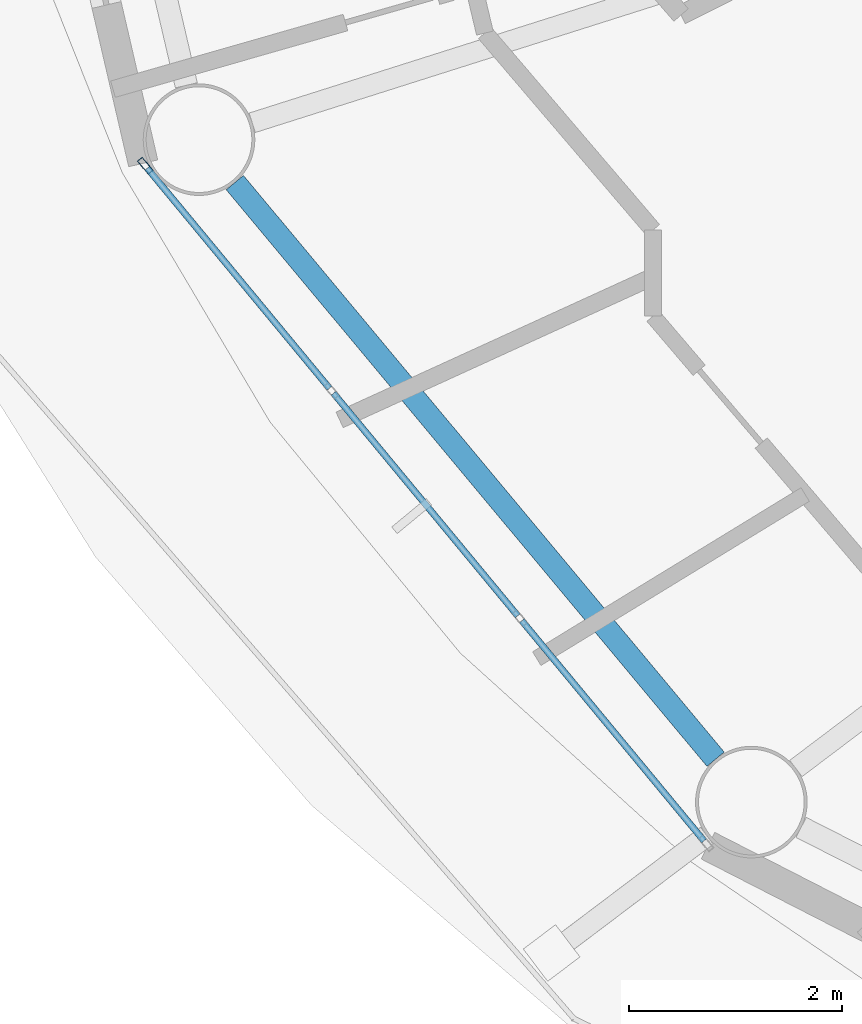
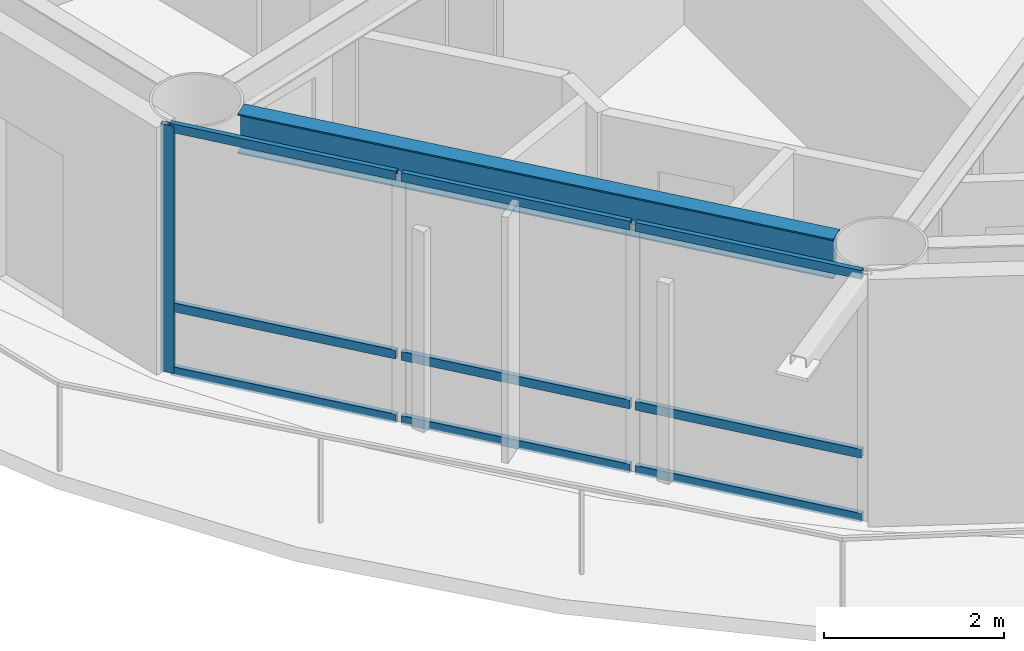
# One storey, part 3 of 23: 10 members, 1 beam, 1 element without a shape of its own.
"""IFC4 building model written with IfcOpenShell, lengths in metres."""

from ifc_helpers import new_model, si_unit, direction, frame, origin, origin_2d, place, context, subcontext, project, spatial, hollow_rectangle, i_section, extrude, material, layer, layer_set, material_profile, profile_set, type_object, element, aggregate, save


model = new_model("IFC4")

# Units and contexts
model_context = context("Model", 3, precision=1e-05, world=origin(), true_north=direction((0.0, 1.0)))
body_context = subcontext(model_context, "Body", "Model", "MODEL_VIEW")
ifc_project = project(units=[si_unit("LENGTHUNIT", "METRE"), si_unit("AREAUNIT", "SQUARE_METRE"), si_unit("VOLUMEUNIT", "CUBIC_METRE"), si_unit("PLANEANGLEUNIT", "RADIAN"), si_unit("MASSUNIT", "GRAM", prefix="KILO")], contexts=[model_context])

# Site, building, storey
site_placement = place(None, origin())
site = spatial("IfcSite", under=ifc_project, at=site_placement, CompositionType="ELEMENT")
building_placement = place(site_placement, origin())
building = spatial("IfcBuilding", under=site, at=building_placement, Name="Sarneth Arch Tower", CompositionType="ELEMENT")
storey_placement = place(building_placement, frame((0.0, 0.0, 238.800048828125)))
storey = spatial("IfcBuildingStorey", under=building, at=storey_placement, Name="L61", CompositionType="ELEMENT", Elevation=238.800048828125)

# Beam
ifc_material_1 = material(Name="Steel S355", Category="steel")
ifc_material_profile_1 = material_profile(ifc_material_1, i_section(OverallWidth=0.2109375, OverallDepth=0.5390625, WebThickness=0.01171875, FlangeThickness=0.018798828125, FilletRadius=0.01806640625, at=origin_2d()), Name="W530x109")
ifc_profile_set_1 = profile_set([ifc_material_profile_1], Name="Steel S355")
beam_type = type_object("IfcBeamType", Name="BM-RAD-530B", PredefinedType="BEAM", material=ifc_profile_set_1)
beam_placement = place(storey_placement, frame((25.16748046875, 34.249267578125, 3.09033203125), z_axis=(0.640364654985, -0.76807103099, 0.0), x_axis=(0.76807103099, 0.640364654985, 0.0)))
element("IfcBeam", 1, at=beam_placement, inside=storey, type_object=beam_type, Name="L61 Perimeter spandrel beam 10", PredefinedType="BEAM", context=body_context, shape_type="SweptSolid", body=[
    extrude(i_section(OverallWidth=0.2109375, OverallDepth=0.5390625, WebThickness=0.01171875, FlangeThickness=0.018798828125, FilletRadius=0.01806640625, at=origin_2d()), origin(), (0.0, 0.0, 1.0), 7.06005859375),
])

# Curtain wall, members
ifc_material_2 = material(Name="Anodised aluminium Type AA25 and solar-control low-e laminated IGU", Category="aluminium")
ifc_layer = layer(ifc_material_2, 0.179931640625)
ifc_layer_set = layer_set([ifc_layer], Name="Anodised aluminium Type AA25 and solar-control low-e laminated IGU")
curtain_wall_type = type_object("IfcCurtainWallType", Name="CW-RES-HIGH", PredefinedType="NOTDEFINED", material=ifc_layer_set)
curtain_wall_placement = place(storey_placement, origin())
curtain_wall = element("IfcCurtainWall", 2, at=curtain_wall_placement, inside=storey, type_object=curtain_wall_type, Name="L61 Unitised curtain wall facet 10", PredefinedType="NOTDEFINED")
ifc_material_3 = material(Name="Anodised Aluminium 6063-T6", Category="aluminium")
ifc_material_profile_2 = material_profile(ifc_material_3, hollow_rectangle(XDim=0.06005859375, YDim=0.159912109375, WallThickness=0.00390625, at=origin_2d()), Name="AL-MULL-160x60x4")
ifc_profile_set_2 = profile_set([ifc_material_profile_2], Name="Anodised Aluminium 6063-T6")
member_type_1 = type_object("IfcMemberType", Name="CW-MULLION", PredefinedType="MULLION", material=ifc_profile_set_2)
member_1_placement = place(storey_placement, frame((24.325439453125, 34.407470703125, 0.0), z_axis=(0.0, 0.0, 1.0), x_axis=(0.770359245933, 0.637610094184, 0.0)))
member_1 = element("IfcMember", 3, at=member_1_placement, type_object=member_type_1, Name="CW-SYS-6 mullion 1", PredefinedType="MULLION", context=body_context, shape_type="SweptSolid", body=[
    extrude(hollow_rectangle(XDim=0.06005859375, YDim=0.159912109375, WallThickness=0.00390625, at=origin_2d()), origin(), (0.0, 0.0, 1.0), 3.35986328125),
])
ifc_material_4 = material(Name="Anodised Aluminium 6063-T6", Category="aluminium")
ifc_material_profile_3 = material_profile(ifc_material_4, hollow_rectangle(XDim=0.06005859375, YDim=0.1201171875, WallThickness=0.00390625, at=origin_2d()), Name="AL-TRAN-120x60x4")
ifc_profile_set_3 = profile_set([ifc_material_profile_3], Name="Anodised Aluminium 6063-T6")
member_type_2 = type_object("IfcMemberType", Name="CW-TRANSOM", PredefinedType="USERDEFINED", material=ifc_profile_set_3)
member_2_placement = place(storey_placement, frame((24.344482421875, 34.38427734375, 0.030029296875), z_axis=(0.637651400067, -0.770325056059, 0.0), x_axis=(0.770325056059, 0.637651400067, 0.0)))
member_2 = element("IfcMember", 4, at=member_2_placement, type_object=member_type_2, Name="CW-SYS-6 transom 1.1", ObjectType="TRANSOM", PredefinedType="USERDEFINED", context=body_context, shape_type="SweptSolid", body=[
    extrude(hollow_rectangle(XDim=0.06005859375, YDim=0.1201171875, WallThickness=0.00390625, at=origin_2d()), origin(), (0.0, 0.0, 1.0), 2.6865234375),
])
member_3_placement = place(storey_placement, frame((24.344482421875, 34.38427734375, 0.89990234375), z_axis=(0.637651400067, -0.770325056059, 0.0), x_axis=(0.770325056059, 0.637651400067, 0.0)))
member_3 = element("IfcMember", 5, at=member_3_placement, type_object=member_type_2, Name="CW-SYS-6 transom 1.2", ObjectType="TRANSOM", PredefinedType="USERDEFINED", context=body_context, shape_type="SweptSolid", body=[
    extrude(hollow_rectangle(XDim=0.06005859375, YDim=0.1201171875, WallThickness=0.00390625, at=origin_2d()), origin(), (0.0, 0.0, 1.0), 2.6865234375),
])
member_4_placement = place(storey_placement, frame((24.344482421875, 34.38427734375, 3.329833984375), z_axis=(0.637651400067, -0.770325056059, 0.0), x_axis=(0.770325056059, 0.637651400067, 0.0)))
member_4 = element("IfcMember", 6, at=member_4_placement, type_object=member_type_2, Name="CW-SYS-6 transom 1.3", ObjectType="TRANSOM", PredefinedType="USERDEFINED", context=body_context, shape_type="SweptSolid", body=[
    extrude(hollow_rectangle(XDim=0.06005859375, YDim=0.1201171875, WallThickness=0.00390625, at=origin_2d()), origin(), (0.0, 0.0, 1.0), 2.6865234375),
])
member_5_placement = place(storey_placement, frame((26.095703125, 32.268310546875, 0.030029296875), z_axis=(0.637617371902, -0.770353222261, 0.0), x_axis=(0.770353222261, 0.637617371902, 0.0)))
member_5 = element("IfcMember", 7, at=member_5_placement, type_object=member_type_2, Name="CW-SYS-6 transom 2.1", ObjectType="TRANSOM", PredefinedType="USERDEFINED", context=body_context, shape_type="SweptSolid", body=[
    extrude(hollow_rectangle(XDim=0.06005859375, YDim=0.1201171875, WallThickness=0.00390625, at=origin_2d()), origin(), (0.0, 0.0, 1.0), 2.716552734375),
])
member_6_placement = place(storey_placement, frame((26.095703125, 32.268310546875, 0.89990234375), z_axis=(0.637617371902, -0.770353222261, 0.0), x_axis=(0.770353222261, 0.637617371902, 0.0)))
member_6 = element("IfcMember", 8, at=member_6_placement, type_object=member_type_2, Name="CW-SYS-6 transom 2.2", ObjectType="TRANSOM", PredefinedType="USERDEFINED", context=body_context, shape_type="SweptSolid", body=[
    extrude(hollow_rectangle(XDim=0.06005859375, YDim=0.1201171875, WallThickness=0.00390625, at=origin_2d()), origin(), (0.0, 0.0, 1.0), 2.716552734375),
])
member_7_placement = place(storey_placement, frame((26.095703125, 32.268310546875, 3.329833984375), z_axis=(0.637617371902, -0.770353222261, 0.0), x_axis=(0.770353222261, 0.637617371902, 0.0)))
member_7 = element("IfcMember", 9, at=member_7_placement, type_object=member_type_2, Name="CW-SYS-6 transom 2.3", ObjectType="TRANSOM", PredefinedType="USERDEFINED", context=body_context, shape_type="SweptSolid", body=[
    extrude(hollow_rectangle(XDim=0.06005859375, YDim=0.1201171875, WallThickness=0.00390625, at=origin_2d()), origin(), (0.0, 0.0, 1.0), 2.716552734375),
])
member_8_placement = place(storey_placement, frame((27.8662109375, 30.12939453125, 0.030029296875), z_axis=(0.637606765719, -0.770362000821, 0.0), x_axis=(0.770362000821, 0.637606765719, 0.0)))
member_8 = element("IfcMember", 10, at=member_8_placement, type_object=member_type_2, Name="CW-SYS-6 transom 3.1", ObjectType="TRANSOM", PredefinedType="USERDEFINED", context=body_context, shape_type="SweptSolid", body=[
    extrude(hollow_rectangle(XDim=0.06005859375, YDim=0.1201171875, WallThickness=0.00390625, at=origin_2d()), origin(), (0.0, 0.0, 1.0), 2.686767578125),
])
member_9_placement = place(storey_placement, frame((27.8662109375, 30.12939453125, 0.89990234375), z_axis=(0.637606765719, -0.770362000821, 0.0), x_axis=(0.770362000821, 0.637606765719, 0.0)))
member_9 = element("IfcMember", 11, at=member_9_placement, type_object=member_type_2, Name="CW-SYS-6 transom 3.2", ObjectType="TRANSOM", PredefinedType="USERDEFINED", context=body_context, shape_type="SweptSolid", body=[
    extrude(hollow_rectangle(XDim=0.06005859375, YDim=0.1201171875, WallThickness=0.00390625, at=origin_2d()), origin(), (0.0, 0.0, 1.0), 2.686767578125),
])
member_10_placement = place(storey_placement, frame((27.8662109375, 30.12939453125, 3.329833984375), z_axis=(0.637606765719, -0.770362000821, 0.0), x_axis=(0.770362000821, 0.637606765719, 0.0)))
member_10 = element("IfcMember", 12, at=member_10_placement, type_object=member_type_2, Name="CW-SYS-6 transom 3.3", ObjectType="TRANSOM", PredefinedType="USERDEFINED", context=body_context, shape_type="SweptSolid", body=[
    extrude(hollow_rectangle(XDim=0.06005859375, YDim=0.1201171875, WallThickness=0.00390625, at=origin_2d()), origin(), (0.0, 0.0, 1.0), 2.686767578125),
])
aggregate(curtain_wall, [member_1, member_2, member_3, member_4, member_5, member_6, member_7, member_8, member_9, member_10])

save(model, "model.ifc")
